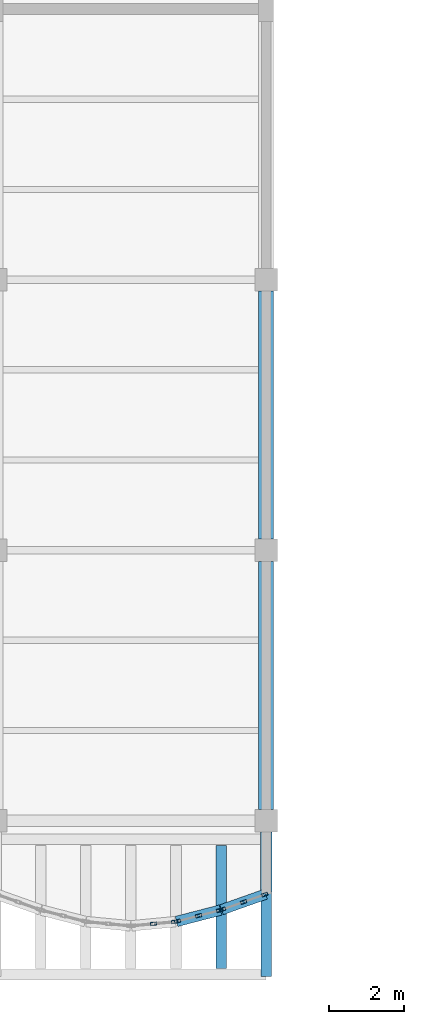
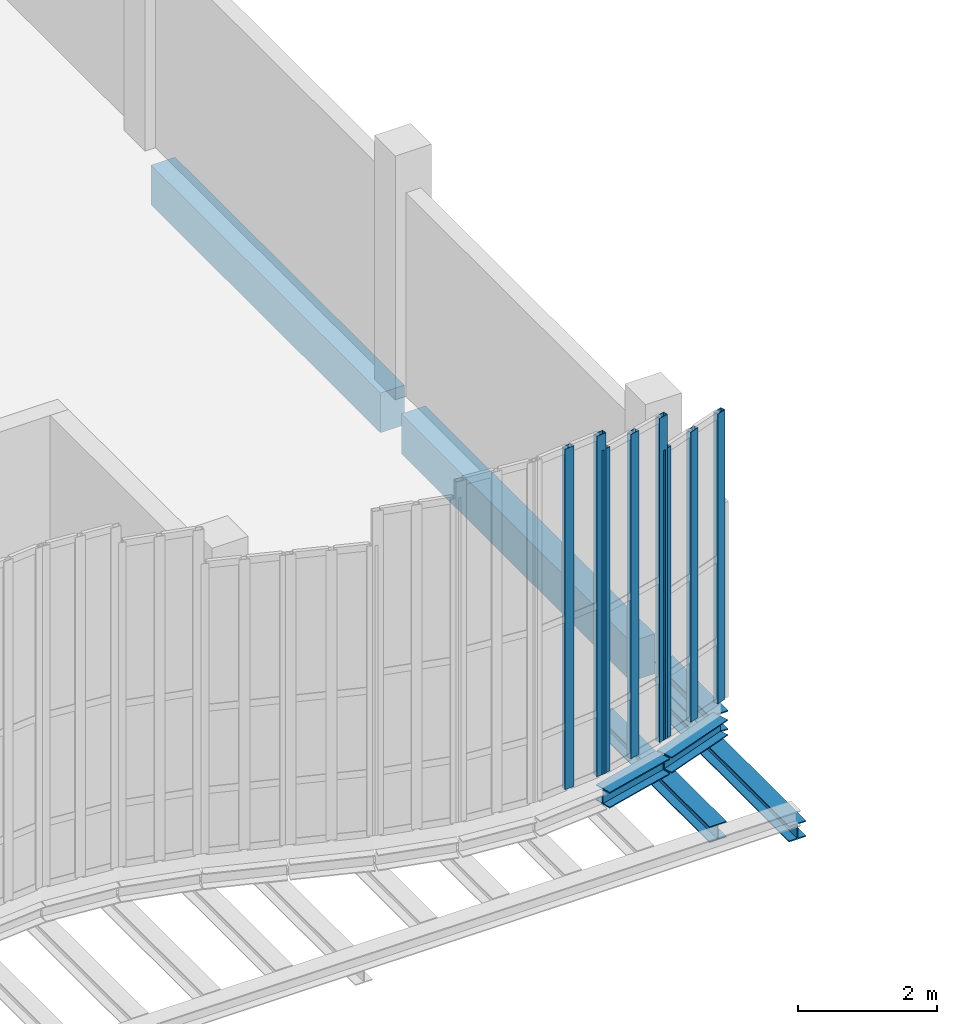
# One storey, part 27 of 76: 8 members, 7 beams, 3 elements without a shape of their own.
"""IFC4 building model written with IfcOpenShell, lengths in metres."""

from ifc_helpers import new_model, si_unit, direction, frame, origin, origin_2d, place, context, subcontext, project, spatial, rectangle, hollow_rectangle, i_section, extrude, material, layer, layer_set, material_profile, profile_set, type_object, element, aggregate, save


model = new_model("IFC4")

# Units and contexts
model_context = context("Model", 3, precision=1e-05, world=origin(), true_north=direction((0.0, 1.0)))
body_context = subcontext(model_context, "Body", "Model", "MODEL_VIEW")
ifc_project = project(units=[si_unit("LENGTHUNIT", "METRE"), si_unit("AREAUNIT", "SQUARE_METRE"), si_unit("VOLUMEUNIT", "CUBIC_METRE"), si_unit("PLANEANGLEUNIT", "RADIAN"), si_unit("MASSUNIT", "GRAM", prefix="KILO"), si_unit("THERMODYNAMICTEMPERATUREUNIT", "KELVIN"), si_unit("POWERUNIT", "WATT")], contexts=[model_context])

# Site, building, storey
site_placement = place(None, origin())
site = spatial("IfcSite", under=ifc_project, at=site_placement, CompositionType="ELEMENT")
building_placement = place(site_placement, origin())
building = spatial("IfcBuilding", under=site, at=building_placement, Name="Kaldorven Railside Theatre", CompositionType="ELEMENT")
storey_placement = place(building_placement, frame((0.0, 0.0, 14.39990234375)))
storey = spatial("IfcBuildingStorey", under=building, at=storey_placement, Name="L03", CompositionType="ELEMENT", Elevation=14.39990234375)

# Beams
ifc_material_1 = material(Name="Steel S355", Category="steel")
ifc_material_profile_1 = material_profile(ifc_material_1, i_section(OverallWidth=0.280029296875, OverallDepth=0.280029296875, WebThickness=0.010498046875, FlangeThickness=0.01806640625, at=origin_2d()), Name="HEB 280")
ifc_profile_set_1 = profile_set([ifc_material_profile_1], Name="Steel S355")
beam_type_1 = type_object("IfcBeamType", Name="BM-HEB280", PredefinedType="SPANDREL", material=ifc_profile_set_1)
beam_1_placement = place(storey_placement, frame((123.199951171875, 15.050048828125, -0.97998046875), z_axis=(0.0, 1.0, 0.0), x_axis=(-1.0, 0.0, 0.0)))
element("IfcBeam", 1, at=beam_1_placement, inside=storey, type_object=beam_type_1, Name="L03 Sinusoidal Lower Cantilever Girder FOB-K037", PredefinedType="SPANDREL", context=body_context, shape_type="SweptSolid", body=[
    extrude(i_section(OverallWidth=0.280029296875, OverallDepth=0.280029296875, WebThickness=0.010498046875, FlangeThickness=0.01806640625, at=origin_2d()), origin(), (0.0, 0.0, 1.0), 3.849853515625),
])
beam_2_placement = place(storey_placement, frame((120.814453125, 16.517578125, -0.419921875), z_axis=(0.967980555895, 0.25102518481, 0.0), x_axis=(-0.25102518481, 0.967980555895, 0.0)))
element("IfcBeam", 2, at=beam_2_placement, inside=storey, type_object=beam_type_1, Name="L03 Sinusoidal Flute Edge Spandrel FSB-215", PredefinedType="SPANDREL", context=body_context, shape_type="SweptSolid", body=[
    extrude(i_section(OverallWidth=0.280029296875, OverallDepth=0.280029296875, WebThickness=0.010498046875, FlangeThickness=0.01806640625, at=origin_2d()), origin(), (0.0, 0.0, 1.0), 1.2099609375),
])
beam_3_placement = place(storey_placement, frame((122.01416015625, 16.830078125, -0.419921875), z_axis=(0.942605331688, 0.333908952671, 0.0), x_axis=(-0.333908952671, 0.942605331688, 0.0)))
element("IfcBeam", 3, at=beam_3_placement, inside=storey, type_object=beam_type_1, Name="L03 Sinusoidal Flute Edge Spandrel FSB-216", PredefinedType="SPANDREL", context=body_context, shape_type="SweptSolid", body=[
    extrude(i_section(OverallWidth=0.280029296875, OverallDepth=0.280029296875, WebThickness=0.010498046875, FlangeThickness=0.01806640625, at=origin_2d()), origin(), (0.0, 0.0, 1.0), 1.242919921875),
])
beam_4_placement = place(storey_placement, frame((122.0, 15.260009765625, -0.699951171875), z_axis=(0.0, 1.0, 0.0), x_axis=(-1.0, 0.0, 0.0)))
element("IfcBeam", 4, at=beam_4_placement, inside=storey, type_object=beam_type_1, Name="L03 Sinusoidal Diaphragm Rib Outrigger FOB-M216", PredefinedType="SPANDREL", context=body_context, shape_type="SweptSolid", body=[
    extrude(i_section(OverallWidth=0.280029296875, OverallDepth=0.280029296875, WebThickness=0.010498046875, FlangeThickness=0.01806640625, at=origin_2d()), origin(), (0.0, 0.0, 1.0), 3.280029296875),
])
ifc_material_profile_2 = material_profile(ifc_material_1, i_section(OverallWidth=0.300048828125, OverallDepth=0.340087890625, WebThickness=0.011962890625, FlangeThickness=0.021484375, at=origin_2d()), Name="HEB 340")
ifc_profile_set_2 = profile_set([ifc_material_profile_2], Name="Steel S355")
beam_type_2 = type_object("IfcBeamType", Name="BM-HEB340", PredefinedType="SPANDREL", material=ifc_profile_set_2)
beam_5_placement = place(storey_placement, frame((123.199951171875, 17.31005859375, -0.449951171875), z_axis=(0.0, 1.0, 0.0), x_axis=(-1.0, 0.0, 0.0)))
element("IfcBeam", 5, at=beam_5_placement, inside=storey, type_object=beam_type_2, Name="L03 Sinusoidal Veil Outrigger FOB-3123", PredefinedType="SPANDREL", context=body_context, shape_type="SweptSolid", body=[
    extrude(i_section(OverallWidth=0.300048828125, OverallDepth=0.340087890625, WebThickness=0.011962890625, FlangeThickness=0.021484375, at=origin_2d()), origin(), (0.0, 0.0, 1.0), 1.58984375),
])
ifc_material_2 = material(Name="Concrete C40/50", Category="concrete")
ifc_material_profile_3 = material_profile(ifc_material_2, rectangle(XDim=0.39990234375, YDim=0.699951171875, at=origin_2d()), Name="RC 400x700")
ifc_profile_set_3 = profile_set([ifc_material_profile_3], Name="Concrete C40/50")
beam_type_3 = type_object("IfcBeamType", Name="BM-RC400x700", PredefinedType="BEAM", material=ifc_profile_set_3)
for number, where, z_axis, x_axis, name in (
    (6, (123.199951171875, 19.5, -0.6298828125), (0.0, 1.0, 0.0), (-1.0, 0.0, 0.0), "L03 Girder BGY-L03-123-019-72"),
    (7, (123.199951171875, 26.699951171875, -0.6298828125), (0.0, 1.0, 0.0), (-1.0, 0.0, 0.0), "L03 Girder BGY-L03-123-026-72"),
):
    element("IfcBeam", number, at=place(storey_placement, frame(where, z_axis=z_axis, x_axis=x_axis)), inside=storey, type_object=beam_type_3, Name=name, PredefinedType="BEAM", context=body_context, shape_type="SweptSolid", body=[
        extrude(rectangle(XDim=0.39990234375, YDim=0.699951171875, at=origin_2d()), origin(), (0.0, 0.0, 1.0), 6.60009765625),
    ])

# Curtain wall, members
ifc_material_3 = material(Name="Low-E laminated solar-control glass", Category="glass")
ifc_layer_1 = layer(ifc_material_3, 0.159912109375, Name="Low-E laminated solar-control glass")
ifc_layer_set_1 = layer_set([ifc_layer_1], Name="Low-E laminated solar-control glass")
curtain_wall_type_1 = type_object("IfcCurtainWallType", Name="CWT-10", PredefinedType="USERDEFINED", material=ifc_layer_set_1)
curtain_wall_1_placement = place(storey_placement, origin())
curtain_wall_1 = element("IfcCurtainWall", 8, at=curtain_wall_1_placement, inside=storey, type_object=curtain_wall_type_1, Name="Sinusoidal Fluted Curtain Wall CW-L03-S70", ObjectType="FLUTED GLAZING", PredefinedType="USERDEFINED")
ifc_material_4 = material(Name="Anodised bronze aluminium", Category="aluminium")
ifc_material_profile_4 = material_profile(ifc_material_4, hollow_rectangle(XDim=0.080078125, YDim=0.159912109375, WallThickness=0.00634765625, at=origin_2d()), Name="RHS 160x80x6.3")
ifc_profile_set_4 = profile_set([ifc_material_profile_4], Name="Anodised bronze aluminium")
member_type = type_object("IfcMemberType", Name="CWM-160", PredefinedType="MULLION", material=ifc_profile_set_4)
member_1_placement = place(storey_placement, frame((120.199951171875, 16.45703125, 0.0), z_axis=(0.0, 0.0, 1.0), x_axis=(-0.094491973758, 0.995525623425, 0.0)))
member_1 = element("IfcMember", 9, at=member_1_placement, type_object=member_type, Name="CW-L03-S70 mullion 2", PredefinedType="MULLION", context=body_context, shape_type="SweptSolid", body=[
    extrude(hollow_rectangle(XDim=0.080078125, YDim=0.159912109375, WallThickness=0.00634765625, at=origin_2d()), origin(), (0.0, 0.0, 1.0), 5.97998046875),
])
member_2_placement = place(storey_placement, frame((120.76025390625, 16.510009765625, 0.0), z_axis=(0.0, 0.0, 1.0), x_axis=(-0.094491973758, 0.995525623425, 0.0)))
member_2 = element("IfcMember", 10, at=member_2_placement, type_object=member_type, Name="CW-L03-S70 mullion 3", PredefinedType="MULLION", context=body_context, shape_type="SweptSolid", body=[
    extrude(hollow_rectangle(XDim=0.080078125, YDim=0.159912109375, WallThickness=0.00634765625, at=origin_2d()), origin(), (0.0, 0.0, 1.0), 5.97998046875),
])
aggregate(curtain_wall_1, [member_1, member_2])

ifc_layer_2 = layer(ifc_material_3, 0.159912109375, Name="Low-E laminated solar-control glass")
ifc_layer_set_2 = layer_set([ifc_layer_2], Name="Low-E laminated solar-control glass")
curtain_wall_type_2 = type_object("IfcCurtainWallType", Name="CWT-09", PredefinedType="USERDEFINED", material=ifc_layer_set_2)
curtain_wall_2_placement = place(storey_placement, origin())
curtain_wall_2 = element("IfcCurtainWall", 11, at=curtain_wall_2_placement, inside=storey, type_object=curtain_wall_type_2, Name="Sinusoidal Fluted Curtain Wall CW-L03-S71", ObjectType="FLUTED GLAZING", PredefinedType="USERDEFINED")
member_3_placement = place(storey_placement, frame((120.838623046875, 16.52392578125, 0.0), z_axis=(0.0, 0.0, 1.0), x_axis=(-0.250953760326, 0.967999075505, 0.0)))
member_3 = element("IfcMember", 12, at=member_3_placement, type_object=member_type, Name="CW-L03-S71 mullion 1", PredefinedType="MULLION", context=body_context, shape_type="SweptSolid", body=[
    extrude(hollow_rectangle(XDim=0.080078125, YDim=0.159912109375, WallThickness=0.00634765625, at=origin_2d()), origin(), (0.0, 0.0, 1.0), 5.690185546875),
])
member_4_placement = place(storey_placement, frame((121.39990234375, 16.66943359375, 0.0), z_axis=(0.0, 0.0, 1.0), x_axis=(-0.250953760326, 0.967999075505, 0.0)))
member_4 = element("IfcMember", 13, at=member_4_placement, type_object=member_type, Name="CW-L03-S71 mullion 2", PredefinedType="MULLION", context=body_context, shape_type="SweptSolid", body=[
    extrude(hollow_rectangle(XDim=0.080078125, YDim=0.159912109375, WallThickness=0.00634765625, at=origin_2d()), origin(), (0.0, 0.0, 1.0), 5.690185546875),
])
member_5_placement = place(storey_placement, frame((121.961181640625, 16.81494140625, 0.0), z_axis=(0.0, 0.0, 1.0), x_axis=(-0.250953760326, 0.967999075505, 0.0)))
member_5 = element("IfcMember", 14, at=member_5_placement, type_object=member_type, Name="CW-L03-S71 mullion 3", PredefinedType="MULLION", context=body_context, shape_type="SweptSolid", body=[
    extrude(hollow_rectangle(XDim=0.080078125, YDim=0.159912109375, WallThickness=0.00634765625, at=origin_2d()), origin(), (0.0, 0.0, 1.0), 5.690185546875),
])
aggregate(curtain_wall_2, [member_3, member_4, member_5])

ifc_layer_3 = layer(ifc_material_3, 0.159912109375, Name="Low-E laminated solar-control glass")
ifc_layer_set_3 = layer_set([ifc_layer_3], Name="Low-E laminated solar-control glass")
curtain_wall_type_3 = type_object("IfcCurtainWallType", Name="CWT-08", PredefinedType="USERDEFINED", material=ifc_layer_set_3)
curtain_wall_3_placement = place(storey_placement, origin())
curtain_wall_3 = element("IfcCurtainWall", 15, at=curtain_wall_3_placement, inside=storey, type_object=curtain_wall_type_3, Name="Sinusoidal Fluted Curtain Wall CW-L03-S72", ObjectType="FLUTED GLAZING", PredefinedType="USERDEFINED")
member_6_placement = place(storey_placement, frame((122.03759765625, 16.83837890625, 0.0), z_axis=(0.0, 0.0, 1.0), x_axis=(-0.33384714225, 0.942627225159, 0.0)))
member_6 = element("IfcMember", 16, at=member_6_placement, type_object=member_type, Name="CW-L03-S72 mullion 1", PredefinedType="MULLION", context=body_context, shape_type="SweptSolid", body=[
    extrude(hollow_rectangle(XDim=0.080078125, YDim=0.159912109375, WallThickness=0.00634765625, at=origin_2d()), origin(), (0.0, 0.0, 1.0), 5.090087890625),
])
member_7_placement = place(storey_placement, frame((122.60009765625, 17.03759765625, 0.0), z_axis=(0.0, 0.0, 1.0), x_axis=(-0.33384714225, 0.942627225159, 0.0)))
member_7 = element("IfcMember", 17, at=member_7_placement, type_object=member_type, Name="CW-L03-S72 mullion 2", PredefinedType="MULLION", context=body_context, shape_type="SweptSolid", body=[
    extrude(hollow_rectangle(XDim=0.080078125, YDim=0.159912109375, WallThickness=0.00634765625, at=origin_2d()), origin(), (0.0, 0.0, 1.0), 5.090087890625),
])
member_8_placement = place(storey_placement, frame((123.162353515625, 17.236572265625, 0.0), z_axis=(0.0, 0.0, 1.0), x_axis=(-0.33384714225, 0.942627225159, 0.0)))
member_8 = element("IfcMember", 18, at=member_8_placement, type_object=member_type, Name="CW-L03-S72 mullion 3", PredefinedType="MULLION", context=body_context, shape_type="SweptSolid", body=[
    extrude(hollow_rectangle(XDim=0.080078125, YDim=0.159912109375, WallThickness=0.00634765625, at=origin_2d()), origin(), (0.0, 0.0, 1.0), 5.090087890625),
])
aggregate(curtain_wall_3, [member_6, member_7, member_8])

save(model, "model.ifc")
